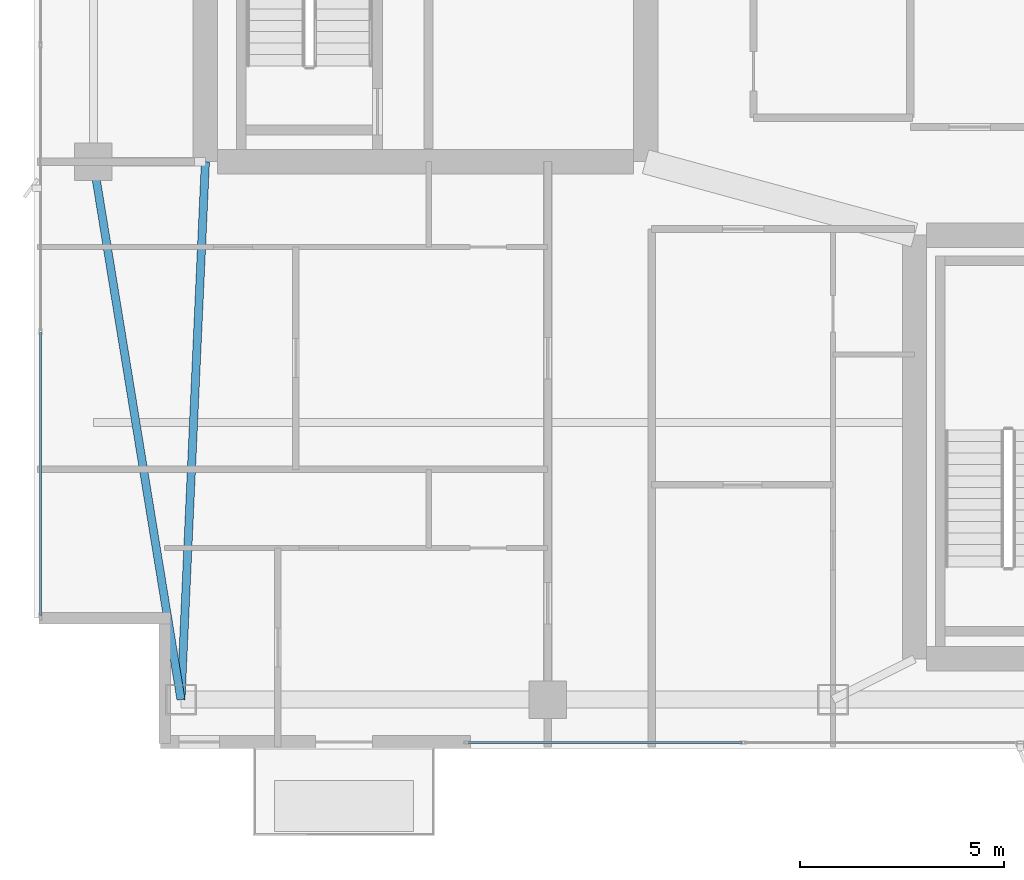
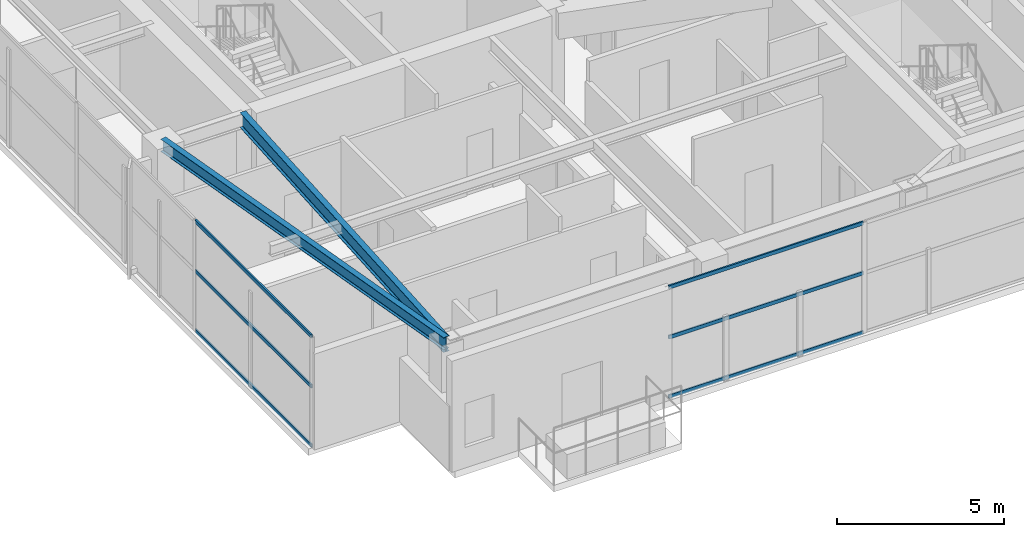
# One storey, part 3 of 26: 6 members, 2 beams, 2 elements without a shape of their own.
"""IFC4 building model written with IfcOpenShell, lengths in metres."""

import ifcopenshell
import ifcopenshell.guid

model = None  # the IFC model being written
_history = None  # IfcOwnerHistory: only IFC2X3 demands one
_inside = {}  # id of a spatial element -> (the spatial element, [elements in it])
_under = {}  # id of a project, library or spatial element -> (it, [spatial elements below it])
_declared = {}  # id of a project -> (the project, [libraries it declares])
_typed = {}  # id of a type object -> (the type object, [elements of that type])
_made_of = {}  # id of a material, layer set ... -> (it, [elements and type objects made of it])


def new_model(schema):
    """Start an empty IFC model of exactly this schema.

    Asked for "IFC4X3", IfcOpenShell would pick the latest addendum, in which some entities
    have other attributes; the version numbers below select the first issue.
    IFC2X3 requires an IfcOwnerHistory on every rooted entity: one is made here for all.
    """
    global model, _history
    if schema == "IFC4X3":
        model = ifcopenshell.file(schema_version=(4, 3, 0, 0))
    else:
        model = ifcopenshell.file(schema=schema)
    _inside.clear()
    _under.clear()
    _declared.clear()
    _typed.clear()
    _made_of.clear()
    _history = None
    if model.schema == "IFC2X3":
        org = make("IfcOrganization", Name="unknown")
        user = make(
            "IfcPersonAndOrganization",
            ThePerson=make("IfcPerson", FamilyName="unknown"),
            TheOrganization=org,
        )
        app = make(
            "IfcApplication",
            ApplicationDeveloper=org,
            Version="unknown",
            ApplicationFullName="unknown",
            ApplicationIdentifier="unknown",
        )
        _history = make(
            "IfcOwnerHistory",
            OwningUser=user,
            OwningApplication=app,
            ChangeAction="ADDED",
            CreationDate=0,
        )
    return model


def make(cls, **values):
    """One entity of the class cls with the attributes given. An attribute that is None is left unset."""
    return model.create_entity(
        cls, **{name: value for name, value in values.items() if value is not None}
    )


def rooted(cls, **values):
    """An entity with a GlobalId (a new one), such as an element, a storey or a relation."""
    return make(cls, GlobalId=ifcopenshell.guid.new(), OwnerHistory=_history, **values)


def si_unit(unit_type, name, prefix=None):
    """IfcSIUnit, for example si_unit("LENGTHUNIT", "METRE", prefix="MILLI")."""
    return make("IfcSIUnit", UnitType=unit_type, Prefix=prefix, Name=name)


def assignment(units):
    """IfcUnitAssignment: the units of a project."""
    return None if units is None else make("IfcUnitAssignment", Units=units)


def point(xyz):
    """IfcCartesianPoint."""
    return None if xyz is None else make("IfcCartesianPoint", Coordinates=xyz)


def direction(xyz):
    """IfcDirection."""
    return None if xyz is None else make("IfcDirection", DirectionRatios=xyz)


def frame(location, z_axis=None, x_axis=None):
    """IfcAxis2Placement3D, a coordinate frame: its origin and axes. An axis left out is left unset."""
    return make(
        "IfcAxis2Placement3D",
        Location=point(location),
        Axis=direction(z_axis),
        RefDirection=direction(x_axis),
    )


def frame_2d(location, x_axis=None):
    """IfcAxis2Placement2D, a coordinate frame in the plane: its origin and x axis."""
    return make(
        "IfcAxis2Placement2D", Location=point(location), RefDirection=direction(x_axis)
    )


def origin():
    """The frame at (0, 0, 0) with its axes left unset."""
    return frame((0.0, 0.0, 0.0))


def origin_2d():
    """The frame at (0, 0) in the plane with its x axis left unset."""
    return frame_2d((0.0, 0.0))


def place(relative_to, where):
    """IfcLocalPlacement: puts the frame where relative to a parent placement (None: the world)."""
    return make(
        "IfcLocalPlacement", PlacementRelTo=relative_to, RelativePlacement=where
    )


def context(
    kind, dimensions, precision=None, world=None, true_north=None, identifier=None
):
    """IfcGeometricRepresentationContext, for example the 3D "Model" context."""
    return make(
        "IfcGeometricRepresentationContext",
        ContextIdentifier=identifier,
        ContextType=kind,
        CoordinateSpaceDimension=dimensions,
        Precision=precision,
        WorldCoordinateSystem=world,
        TrueNorth=true_north,
    )


def subcontext(parent, identifier, kind, view, scale=None):
    """IfcGeometricRepresentationSubContext, for example "Body" below "Model"."""
    return make(
        "IfcGeometricRepresentationSubContext",
        ContextIdentifier=identifier,
        ContextType=kind,
        ParentContext=parent,
        TargetScale=scale,
        TargetView=view,
    )


def project(units=None, contexts=None):
    """IfcProject with its units and contexts."""
    return rooted(
        "IfcProject",
        Name="project",
        RepresentationContexts=contexts,
        UnitsInContext=assignment(units),
    )


def spatial(cls, under=None, at=None, **own):
    """A site, building, storey or space (cls), placed at a placement, below another one or the project."""
    s = rooted(cls, ObjectPlacement=at, **own)
    if under is not None:
        _under.setdefault(under.id(), (under, []))[1].append(s)
    return s


def profile(cls, at=None, kind="AREA", **sizes):
    """A parametric profile (cls). Its sizes go by their IFC names, for example OverallWidth=200.0."""
    return make(cls, ProfileType=kind, Position=at, **sizes)


def hollow_rectangle(**sizes):
    """IfcRectangleHollowProfileDef."""
    return profile("IfcRectangleHollowProfileDef", **sizes)


def i_section(**sizes):
    """IfcIShapeProfileDef."""
    return profile("IfcIShapeProfileDef", **sizes)


def extrude(swept, where, along, depth):
    """IfcExtrudedAreaSolid: the profile swept, set in the frame where, extruded along a direction by depth."""
    return make(
        "IfcExtrudedAreaSolid",
        SweptArea=swept,
        Position=where,
        ExtrudedDirection=direction(along),
        Depth=depth,
    )


def shape(context_of_items, identifier, shape_type, items):
    """IfcShapeRepresentation: the items that make up one representation, for example the "Body"."""
    return make(
        "IfcShapeRepresentation",
        ContextOfItems=context_of_items,
        RepresentationIdentifier=identifier,
        RepresentationType=shape_type,
        Items=items,
    )


def material(Name=None, Category=None):
    """IfcMaterial."""
    return make("IfcMaterial", Name=Name, Category=Category)


def layer(
    of_material, thickness, ventilated=None, Name=None, Category=None, Priority=None
):
    """IfcMaterialLayer: one layer of a wall or slab, of a material (None: an air gap)."""
    return make(
        "IfcMaterialLayer",
        Material=of_material,
        LayerThickness=thickness,
        IsVentilated=ventilated,
        Name=Name,
        Category=Category,
        Priority=Priority,
    )


def layer_set(layers, Name=None):
    """IfcMaterialLayerSet."""
    return make("IfcMaterialLayerSet", MaterialLayers=layers, LayerSetName=Name)


def material_profile(
    of_material, cross_section, Name=None, Category=None, Priority=None
):
    """IfcMaterialProfile: a cross section and its material."""
    return make(
        "IfcMaterialProfile",
        Name=Name,
        Material=of_material,
        Profile=cross_section,
        Priority=Priority,
        Category=Category,
    )


def profile_set(profiles, Name=None, composite=None):
    """IfcMaterialProfileSet."""
    return make(
        "IfcMaterialProfileSet",
        Name=Name,
        MaterialProfiles=profiles,
        CompositeProfile=composite,
    )


def made_of(thing, what):
    """Note that an element or type object is made of a material, layer set ...; save() writes the relation."""
    if what is not None:
        _made_of.setdefault(what.id(), (what, []))[1].append(thing)
    return thing


def type_object(cls, material=None, **own):
    """A type object (cls), such as IfcWallType, which elements share."""
    return made_of(rooted(cls, **own), material)


def element(
    cls,
    number,
    at=None,
    inside=None,
    cuts=None,
    type_object=None,
    material=None,
    context=None,
    identifier="Body",
    shape_type=None,
    held_by="IfcProductDefinitionShape",
    body=None,
    shapes=None,
    **own,
):
    """One element of the class cls, such as IfcWall. Its Tag is "e" and its number.

    at: its placement. inside: the storey or other place that contains it. cuts: it is an
    opening in that element (IfcRelVoidsElement). A single representation is given by context,
    identifier, shape_type and body (its items); several are given by shapes. held_by: the class
    of the entity that holds the representations. save() writes the other relations.
    """
    e = rooted(cls, Tag="e%d" % number, ObjectPlacement=at, **own)
    if body is not None:
        shapes = [shape(context, identifier, shape_type, body)]
    if shapes is not None:
        e.Representation = make(held_by, Representations=shapes)
    if inside is not None:
        _inside.setdefault(inside.id(), (inside, []))[1].append(e)
    if cuts is not None:
        rooted(
            "IfcRelVoidsElement", RelatingBuildingElement=cuts, RelatedOpeningElement=e
        )
    if type_object is not None:
        _typed.setdefault(type_object.id(), (type_object, []))[1].append(e)
    return made_of(e, material)


def aggregate(whole, parts):
    """IfcRelAggregates: a whole, such as a stair, and the parts it consists of."""
    return rooted("IfcRelAggregates", RelatingObject=whole, RelatedObjects=parts)


def save(model, path):
    """Write the relations noted so far, then the file.

    IfcRelAggregates (storeys below a building ...), IfcRelContainedInSpatialStructure (elements
    in a storey), IfcRelDefinesByType, IfcRelAssociatesMaterial and IfcRelDeclares: one each for
    every whole, place, type object, material and project.
    """
    for whole, parts in _under.values():
        aggregate(whole, parts)
    for where, things in _inside.values():
        rooted(
            "IfcRelContainedInSpatialStructure",
            RelatedElements=things,
            RelatingStructure=where,
        )
    for kind, things in _typed.values():
        rooted("IfcRelDefinesByType", RelatedObjects=things, RelatingType=kind)
    for what, things in _made_of.values():
        rooted("IfcRelAssociatesMaterial", RelatedObjects=things, RelatingMaterial=what)
    for by, libraries in _declared.values():
        rooted("IfcRelDeclares", RelatingContext=by, RelatedDefinitions=libraries)
    model.write(path)


model = new_model("IFC4")

# Units and contexts
model_context = context("Model", 3, precision=1e-05, world=origin(), true_north=direction((0.0, 1.0)))
body_context = subcontext(model_context, "Body", "Model", "MODEL_VIEW")
ifc_project = project(units=[si_unit("LENGTHUNIT", "METRE"), si_unit("AREAUNIT", "SQUARE_METRE"), si_unit("VOLUMEUNIT", "CUBIC_METRE"), si_unit("PLANEANGLEUNIT", "RADIAN"), si_unit("MASSUNIT", "GRAM", prefix="KILO")], contexts=[model_context])

# Site, building, storey
site_placement = place(None, origin())
site = spatial("IfcSite", under=ifc_project, at=site_placement, CompositionType="ELEMENT")
building_placement = place(site_placement, origin())
building = spatial("IfcBuilding", under=site, at=building_placement, Name="Calvorn Quay Hotel", CompositionType="ELEMENT")
storey_placement = place(building_placement, frame((0.0, 0.0, 302.5)))
storey = spatial("IfcBuildingStorey", under=building, at=storey_placement, Name="L75", CompositionType="ELEMENT", Elevation=302.5)

# Beams
ifc_material_1 = material(Name="Steel Q355B", Category="steel")
ifc_material_profile_1 = material_profile(ifc_material_1, i_section(OverallWidth=0.199951171875, OverallDepth=0.550048828125, WebThickness=0.010009765625, FlangeThickness=0.01611328125, FilletRadius=0.01806640625, at=origin_2d()), Name="HN550x200x10x16")
ifc_profile_set_1 = profile_set([ifc_material_profile_1], Name="Steel Q355B")
beam_type_1 = type_object("IfcBeamType", Name="BM-GIRD-UPP", PredefinedType="BEAM", material=ifc_profile_set_1)
beam_1_placement = place(storey_placement, frame((3.60009765625, 3.60009765625, 3.77490234375), z_axis=(0.045396765494, 0.998969035397, 0.0), x_axis=(-0.998969035397, 0.045396765494, 0.0)))
element("IfcBeam", 1, at=beam_1_placement, inside=storey, type_object=beam_type_1, Name="Beam BG-L75-W0", PredefinedType="BEAM", context=body_context, shape_type="SweptSolid", body=[
    extrude(i_section(OverallWidth=0.199951171875, OverallDepth=0.550048828125, WebThickness=0.010009765625, FlangeThickness=0.01611328125, FilletRadius=0.01806640625, at=origin_2d()), origin(), (0.0, 0.0, 1.0), 13.213623046875),
])
ifc_material_2 = material(Name="Steel Q355B", Category="steel")
ifc_material_profile_2 = material_profile(ifc_material_2, i_section(OverallWidth=0.199951171875, OverallDepth=0.449951171875, WebThickness=0.009033203125, FlangeThickness=0.013916015625, FilletRadius=0.01611328125, at=origin_2d()), Name="HN450x200x9x14")
ifc_profile_set_2 = profile_set([ifc_material_profile_2], Name="Steel Q355B")
beam_type_2 = type_object("IfcBeamType", Name="BM-SPANDREL-Z3", PredefinedType="SPANDREL", material=ifc_profile_set_2)
beam_2_placement = place(storey_placement, frame((3.60009765625, 3.60009765625, 3.824951171875), z_axis=(-0.16077155054, 0.986991645627, 0.0), x_axis=(-0.986991645627, -0.16077155054, 0.0)))
element("IfcBeam", 2, at=beam_2_placement, inside=storey, type_object=beam_type_2, Name="Beam BSP-L75-W1", PredefinedType="SPANDREL", context=body_context, shape_type="SweptSolid", body=[
    extrude(i_section(OverallWidth=0.199951171875, OverallDepth=0.449951171875, WebThickness=0.009033203125, FlangeThickness=0.013916015625, FilletRadius=0.01611328125, at=origin_2d()), origin(), (0.0, 0.0, 1.0), 13.3740234375),
])

# Curtain wall, members
ifc_material_3 = material(Name="Champagne Bronze Anodised Aluminium and Low-E Glass", Category="aluminium")
ifc_layer = layer(ifc_material_3, 0.219970703125)
ifc_layer_set = layer_set([ifc_layer], Name="CW-SYS-Z4")
curtain_wall_type = type_object("IfcCurtainWallType", Name="CW-SYS-Z4", PredefinedType="NOTDEFINED", material=ifc_layer_set)
curtain_wall_1_placement = place(storey_placement, origin())
curtain_wall_1 = element("IfcCurtainWall", 3, at=curtain_wall_1_placement, inside=storey, type_object=curtain_wall_type, Name="Tower West Curtain Wall (L75)", PredefinedType="NOTDEFINED")
ifc_material_4 = material(Name="Champagne Bronze Anodised Aluminium 6063-T6", Category="aluminium")
ifc_material_profile_3 = material_profile(ifc_material_4, hollow_rectangle(XDim=0.054931640625, YDim=0.1298828125, WallThickness=0.003173828125, at=origin_2d()), Name="ALU-T130x55x3.2")
ifc_profile_set_3 = profile_set([ifc_material_profile_3], Name="Champagne Bronze Anodised Aluminium 6063-T6")
member_type = type_object("IfcMemberType", Name="CW-SYS-Z4-TRN", PredefinedType="USERDEFINED", material=ifc_profile_set_3)
member_1_placement = place(storey_placement, frame((0.14990234375, 5.659912109375, 0.030029296875), z_axis=(0.0, 1.0, 0.0), x_axis=(-1.0, 0.0, 0.0)))
member_1 = element("IfcMember", 4, at=member_1_placement, type_object=member_type, Name="CW-L75-W transom 1.1", ObjectType="TRANSOM", PredefinedType="USERDEFINED", context=body_context, shape_type="SweptSolid", body=[
    extrude(hollow_rectangle(XDim=0.054931640625, YDim=0.1298828125, WallThickness=0.003173828125, at=origin_2d()), origin(), (0.0, 0.0, 1.0), 6.943359375),
])
member_2_placement = place(storey_placement, frame((0.14990234375, 5.659912109375, 2.199951171875), z_axis=(0.0, 1.0, 0.0), x_axis=(-1.0, 0.0, 0.0)))
member_2 = element("IfcMember", 5, at=member_2_placement, type_object=member_type, Name="CW-L75-W transom 1.2", ObjectType="TRANSOM", PredefinedType="USERDEFINED", context=body_context, shape_type="SweptSolid", body=[
    extrude(hollow_rectangle(XDim=0.054931640625, YDim=0.1298828125, WallThickness=0.003173828125, at=origin_2d()), origin(), (0.0, 0.0, 1.0), 6.943359375),
])
member_3_placement = place(storey_placement, frame((0.14990234375, 5.659912109375, 4.02001953125), z_axis=(0.0, 1.0, 0.0), x_axis=(-1.0, 0.0, 0.0)))
member_3 = element("IfcMember", 6, at=member_3_placement, type_object=member_type, Name="CW-L75-W transom 1.3", ObjectType="TRANSOM", PredefinedType="USERDEFINED", context=body_context, shape_type="SweptSolid", body=[
    extrude(hollow_rectangle(XDim=0.054931640625, YDim=0.1298828125, WallThickness=0.003173828125, at=origin_2d()), origin(), (0.0, 0.0, 1.0), 6.943359375),
])
aggregate(curtain_wall_1, [member_1, member_2, member_3])

curtain_wall_2_placement = place(storey_placement, origin())
curtain_wall_2 = element("IfcCurtainWall", 7, at=curtain_wall_2_placement, inside=storey, type_object=curtain_wall_type, Name="Tower South Waterfront Curtain Wall (L75)", PredefinedType="NOTDEFINED")
member_4_placement = place(storey_placement, frame((10.659912109375, 2.550048828125, 0.030029296875), z_axis=(1.0, 0.0, 0.0), x_axis=(0.0, 1.0, 0.0)))
member_4 = element("IfcMember", 8, at=member_4_placement, type_object=member_type, Name="CW-L75-S transom 1.1", ObjectType="TRANSOM", PredefinedType="USERDEFINED", context=body_context, shape_type="SweptSolid", body=[
    extrude(hollow_rectangle(XDim=0.054931640625, YDim=0.1298828125, WallThickness=0.003173828125, at=origin_2d()), origin(), (0.0, 0.0, 1.0), 6.710205078125),
])
member_5_placement = place(storey_placement, frame((10.659912109375, 2.550048828125, 2.199951171875), z_axis=(1.0, 0.0, 0.0), x_axis=(0.0, 1.0, 0.0)))
member_5 = element("IfcMember", 9, at=member_5_placement, type_object=member_type, Name="CW-L75-S transom 1.2", ObjectType="TRANSOM", PredefinedType="USERDEFINED", context=body_context, shape_type="SweptSolid", body=[
    extrude(hollow_rectangle(XDim=0.054931640625, YDim=0.1298828125, WallThickness=0.003173828125, at=origin_2d()), origin(), (0.0, 0.0, 1.0), 6.710205078125),
])
member_6_placement = place(storey_placement, frame((10.659912109375, 2.550048828125, 4.02001953125), z_axis=(1.0, 0.0, 0.0), x_axis=(0.0, 1.0, 0.0)))
member_6 = element("IfcMember", 10, at=member_6_placement, type_object=member_type, Name="CW-L75-S transom 1.3", ObjectType="TRANSOM", PredefinedType="USERDEFINED", context=body_context, shape_type="SweptSolid", body=[
    extrude(hollow_rectangle(XDim=0.054931640625, YDim=0.1298828125, WallThickness=0.003173828125, at=origin_2d()), origin(), (0.0, 0.0, 1.0), 6.710205078125),
])
aggregate(curtain_wall_2, [member_4, member_5, member_6])

save(model, "model.ifc")
